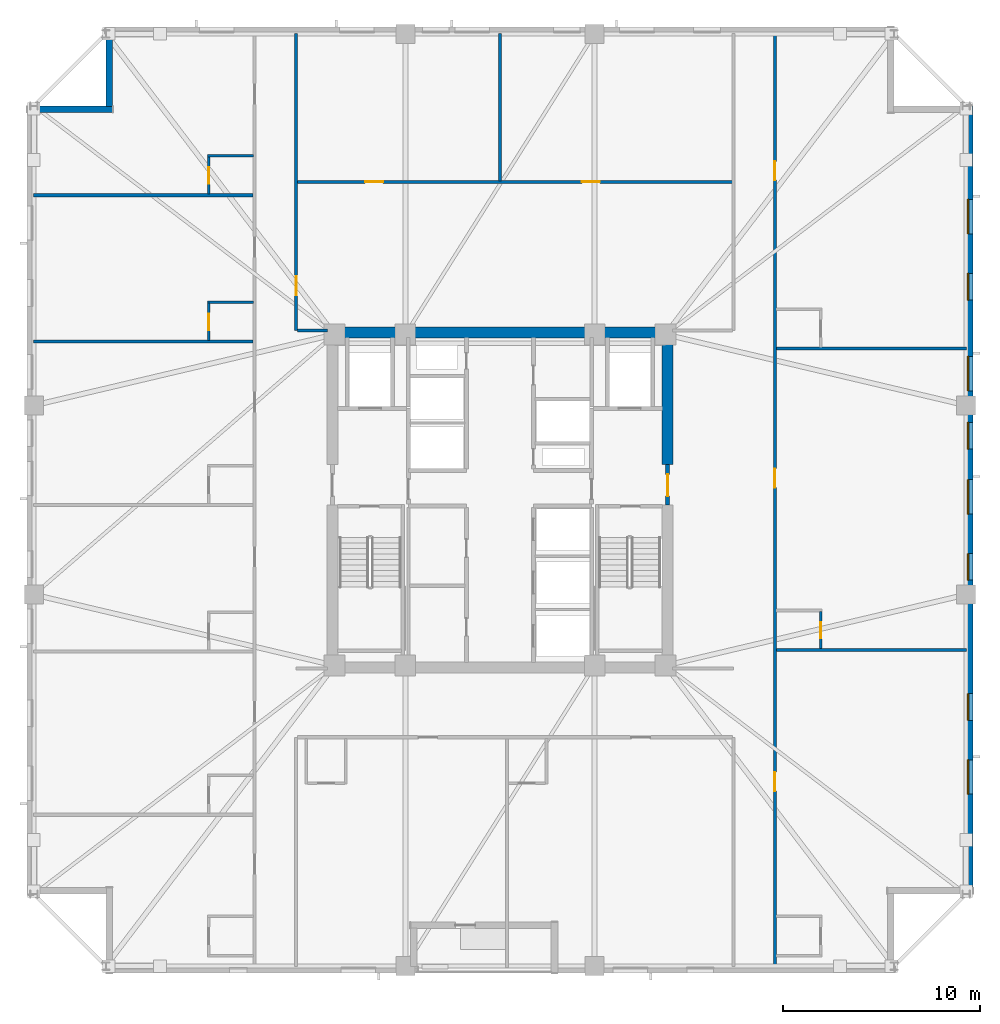
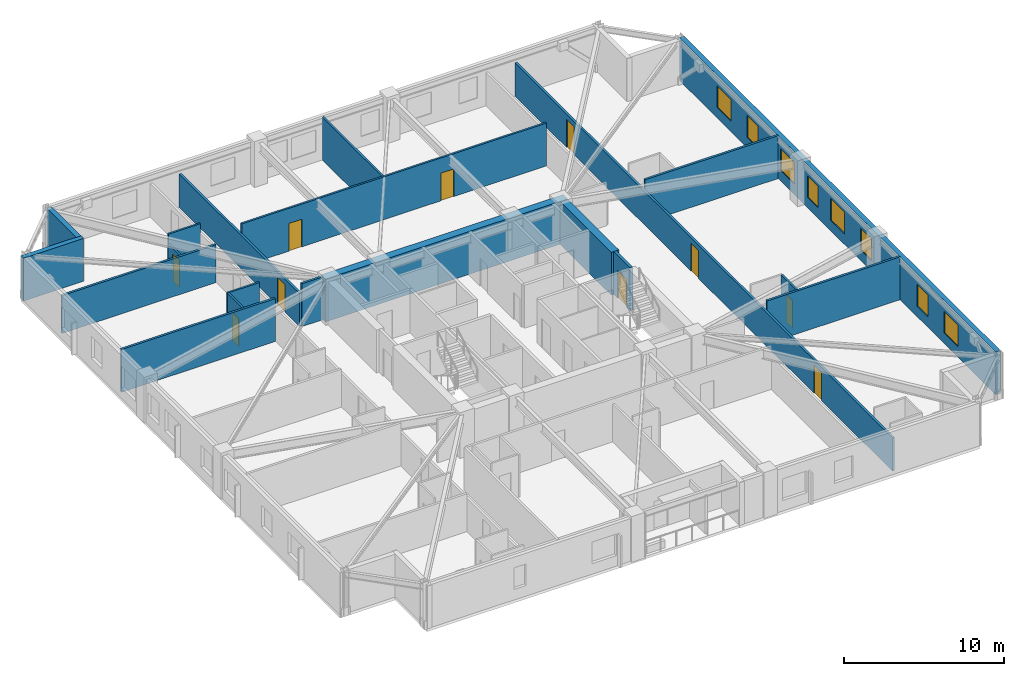
# One storey, part 5 of 11: 20 walls, 10 doors, 8 windows, 18 openings.
"""IFC4 building model written with IfcOpenShell, lengths in metres."""

import ifcopenshell
import ifcopenshell.guid

model = None  # the IFC model being written
_history = None  # IfcOwnerHistory: only IFC2X3 demands one
_inside = {}  # id of a spatial element -> (the spatial element, [elements in it])
_under = {}  # id of a project, library or spatial element -> (it, [spatial elements below it])
_declared = {}  # id of a project -> (the project, [libraries it declares])
_typed = {}  # id of a type object -> (the type object, [elements of that type])
_made_of = {}  # id of a material, layer set ... -> (it, [elements and type objects made of it])


def new_model(schema):
    """Start an empty IFC model of exactly this schema.

    Asked for "IFC4X3", IfcOpenShell would pick the latest addendum, in which some entities
    have other attributes; the version numbers below select the first issue.
    IFC2X3 requires an IfcOwnerHistory on every rooted entity: one is made here for all.
    """
    global model, _history
    if schema == "IFC4X3":
        model = ifcopenshell.file(schema_version=(4, 3, 0, 0))
    else:
        model = ifcopenshell.file(schema=schema)
    _inside.clear()
    _under.clear()
    _declared.clear()
    _typed.clear()
    _made_of.clear()
    _history = None
    if model.schema == "IFC2X3":
        org = make("IfcOrganization", Name="unknown")
        user = make(
            "IfcPersonAndOrganization",
            ThePerson=make("IfcPerson", FamilyName="unknown"),
            TheOrganization=org,
        )
        app = make(
            "IfcApplication",
            ApplicationDeveloper=org,
            Version="unknown",
            ApplicationFullName="unknown",
            ApplicationIdentifier="unknown",
        )
        _history = make(
            "IfcOwnerHistory",
            OwningUser=user,
            OwningApplication=app,
            ChangeAction="ADDED",
            CreationDate=0,
        )
    return model


def make(cls, **values):
    """One entity of the class cls with the attributes given. An attribute that is None is left unset."""
    return model.create_entity(
        cls, **{name: value for name, value in values.items() if value is not None}
    )


def rooted(cls, **values):
    """An entity with a GlobalId (a new one), such as an element, a storey or a relation."""
    return make(cls, GlobalId=ifcopenshell.guid.new(), OwnerHistory=_history, **values)


def si_unit(unit_type, name, prefix=None):
    """IfcSIUnit, for example si_unit("LENGTHUNIT", "METRE", prefix="MILLI")."""
    return make("IfcSIUnit", UnitType=unit_type, Prefix=prefix, Name=name)


def assignment(units):
    """IfcUnitAssignment: the units of a project."""
    return None if units is None else make("IfcUnitAssignment", Units=units)


def point(xyz):
    """IfcCartesianPoint."""
    return None if xyz is None else make("IfcCartesianPoint", Coordinates=xyz)


def direction(xyz):
    """IfcDirection."""
    return None if xyz is None else make("IfcDirection", DirectionRatios=xyz)


def frame(location, z_axis=None, x_axis=None):
    """IfcAxis2Placement3D, a coordinate frame: its origin and axes. An axis left out is left unset."""
    return make(
        "IfcAxis2Placement3D",
        Location=point(location),
        Axis=direction(z_axis),
        RefDirection=direction(x_axis),
    )


def frame_2d(location, x_axis=None):
    """IfcAxis2Placement2D, a coordinate frame in the plane: its origin and x axis."""
    return make(
        "IfcAxis2Placement2D", Location=point(location), RefDirection=direction(x_axis)
    )


def origin():
    """The frame at (0, 0, 0) with its axes left unset."""
    return frame((0.0, 0.0, 0.0))


def place(relative_to, where):
    """IfcLocalPlacement: puts the frame where relative to a parent placement (None: the world)."""
    return make(
        "IfcLocalPlacement", PlacementRelTo=relative_to, RelativePlacement=where
    )


def context(
    kind, dimensions, precision=None, world=None, true_north=None, identifier=None
):
    """IfcGeometricRepresentationContext, for example the 3D "Model" context."""
    return make(
        "IfcGeometricRepresentationContext",
        ContextIdentifier=identifier,
        ContextType=kind,
        CoordinateSpaceDimension=dimensions,
        Precision=precision,
        WorldCoordinateSystem=world,
        TrueNorth=true_north,
    )


def subcontext(parent, identifier, kind, view, scale=None):
    """IfcGeometricRepresentationSubContext, for example "Body" below "Model"."""
    return make(
        "IfcGeometricRepresentationSubContext",
        ContextIdentifier=identifier,
        ContextType=kind,
        ParentContext=parent,
        TargetScale=scale,
        TargetView=view,
    )


def project(units=None, contexts=None):
    """IfcProject with its units and contexts."""
    return rooted(
        "IfcProject",
        Name="project",
        RepresentationContexts=contexts,
        UnitsInContext=assignment(units),
    )


def spatial(cls, under=None, at=None, **own):
    """A site, building, storey or space (cls), placed at a placement, below another one or the project."""
    s = rooted(cls, ObjectPlacement=at, **own)
    if under is not None:
        _under.setdefault(under.id(), (under, []))[1].append(s)
    return s


def profile(cls, at=None, kind="AREA", **sizes):
    """A parametric profile (cls). Its sizes go by their IFC names, for example OverallWidth=200.0."""
    return make(cls, ProfileType=kind, Position=at, **sizes)


def rectangle(**sizes):
    """IfcRectangleProfileDef."""
    return profile("IfcRectangleProfileDef", **sizes)


def extrude(swept, where, along, depth):
    """IfcExtrudedAreaSolid: the profile swept, set in the frame where, extruded along a direction by depth."""
    return make(
        "IfcExtrudedAreaSolid",
        SweptArea=swept,
        Position=where,
        ExtrudedDirection=direction(along),
        Depth=depth,
    )


def shape(context_of_items, identifier, shape_type, items):
    """IfcShapeRepresentation: the items that make up one representation, for example the "Body"."""
    return make(
        "IfcShapeRepresentation",
        ContextOfItems=context_of_items,
        RepresentationIdentifier=identifier,
        RepresentationType=shape_type,
        Items=items,
    )


def material(Name=None, Category=None):
    """IfcMaterial."""
    return make("IfcMaterial", Name=Name, Category=Category)


def layer(
    of_material, thickness, ventilated=None, Name=None, Category=None, Priority=None
):
    """IfcMaterialLayer: one layer of a wall or slab, of a material (None: an air gap)."""
    return make(
        "IfcMaterialLayer",
        Material=of_material,
        LayerThickness=thickness,
        IsVentilated=ventilated,
        Name=Name,
        Category=Category,
        Priority=Priority,
    )


def layer_set(layers, Name=None):
    """IfcMaterialLayerSet."""
    return make("IfcMaterialLayerSet", MaterialLayers=layers, LayerSetName=Name)


def made_of(thing, what):
    """Note that an element or type object is made of a material, layer set ...; save() writes the relation."""
    if what is not None:
        _made_of.setdefault(what.id(), (what, []))[1].append(thing)
    return thing


def type_object(cls, material=None, **own):
    """A type object (cls), such as IfcWallType, which elements share."""
    return made_of(rooted(cls, **own), material)


def element(
    cls,
    number,
    at=None,
    inside=None,
    cuts=None,
    type_object=None,
    material=None,
    context=None,
    identifier="Body",
    shape_type=None,
    held_by="IfcProductDefinitionShape",
    body=None,
    shapes=None,
    **own,
):
    """One element of the class cls, such as IfcWall. Its Tag is "e" and its number.

    at: its placement. inside: the storey or other place that contains it. cuts: it is an
    opening in that element (IfcRelVoidsElement). A single representation is given by context,
    identifier, shape_type and body (its items); several are given by shapes. held_by: the class
    of the entity that holds the representations. save() writes the other relations.
    """
    e = rooted(cls, Tag="e%d" % number, ObjectPlacement=at, **own)
    if body is not None:
        shapes = [shape(context, identifier, shape_type, body)]
    if shapes is not None:
        e.Representation = make(held_by, Representations=shapes)
    if inside is not None:
        _inside.setdefault(inside.id(), (inside, []))[1].append(e)
    if cuts is not None:
        rooted(
            "IfcRelVoidsElement", RelatingBuildingElement=cuts, RelatedOpeningElement=e
        )
    if type_object is not None:
        _typed.setdefault(type_object.id(), (type_object, []))[1].append(e)
    return made_of(e, material)


def fill(opening, filler):
    """IfcRelFillsElement: the door or window that sits in an opening."""
    return rooted(
        "IfcRelFillsElement",
        RelatingOpeningElement=opening,
        RelatedBuildingElement=filler,
    )


def aggregate(whole, parts):
    """IfcRelAggregates: a whole, such as a stair, and the parts it consists of."""
    return rooted("IfcRelAggregates", RelatingObject=whole, RelatedObjects=parts)


def save(model, path):
    """Write the relations noted so far, then the file.

    IfcRelAggregates (storeys below a building ...), IfcRelContainedInSpatialStructure (elements
    in a storey), IfcRelDefinesByType, IfcRelAssociatesMaterial and IfcRelDeclares: one each for
    every whole, place, type object, material and project.
    """
    for whole, parts in _under.values():
        aggregate(whole, parts)
    for where, things in _inside.values():
        rooted(
            "IfcRelContainedInSpatialStructure",
            RelatedElements=things,
            RelatingStructure=where,
        )
    for kind, things in _typed.values():
        rooted("IfcRelDefinesByType", RelatedObjects=things, RelatingType=kind)
    for what, things in _made_of.values():
        rooted("IfcRelAssociatesMaterial", RelatedObjects=things, RelatingMaterial=what)
    for by, libraries in _declared.values():
        rooted("IfcRelDeclares", RelatingContext=by, RelatedDefinitions=libraries)
    model.write(path)


model = new_model("IFC4")

# Units and contexts
model_context = context("Model", 3, precision=1e-05, world=origin(), true_north=direction((0.0, 1.0)))
body_context = subcontext(model_context, "Body", "Model", "MODEL_VIEW")
ifc_project = project(units=[si_unit("LENGTHUNIT", "METRE"), si_unit("AREAUNIT", "SQUARE_METRE"), si_unit("VOLUMEUNIT", "CUBIC_METRE"), si_unit("PLANEANGLEUNIT", "RADIAN"), si_unit("MASSUNIT", "GRAM", prefix="KILO")], contexts=[model_context])

# Site, building, storey
site_placement = place(None, origin())
site = spatial("IfcSite", under=ifc_project, at=site_placement, CompositionType="ELEMENT")
building_placement = place(site_placement, origin())
building = spatial("IfcBuilding", under=site, at=building_placement, Name="Cairnveth Concourse Tower", CompositionType="ELEMENT")
storey_placement = place(building_placement, frame((0.0, 0.0, 151.5)))
storey = spatial("IfcBuildingStorey", under=building, at=storey_placement, Name="L41", CompositionType="ELEMENT", Elevation=151.5)

# Wall, opening, door
ifc_material_1 = material(Name="Gypsum Plasterboard Partition", Category="gypsum")
ifc_layer_1 = layer(ifc_material_1, 0.159912109375)
ifc_layer_set_1 = layer_set([ifc_layer_1], Name="Gypsum Plasterboard Partition")
wall_type_1 = type_object("IfcWallType", Name="ACOUSTIC PARTY WALL 180", PredefinedType="PARTITIONING", material=ifc_layer_set_1)
wall_1_placement = place(storey_placement, frame((41.64990234375, 47.60009765625, 0.0), z_axis=(0.0, 0.0, 1.0), x_axis=(0.0, 1.0, 0.0)))
wall_1 = element("IfcWall", 1, at=wall_1_placement, inside=storey, type_object=wall_type_1, Name="Interior Wall IW-L41-038", PredefinedType="PARTITIONING", context=body_context, shape_type="SweptSolid", body=[
    extrude(rectangle(XDim=15.074951171875, YDim=0.159912109375, at=frame_2d((7.53759765625, 0.0))), origin(), (0.0, 0.0, 1.0), 2.554931640625),
])
opening_1_placement = place(wall_1_placement, frame((1.800048828125, 0.0, 0.0)))
opening_1 = element("IfcOpeningElement", 2, at=opening_1_placement, cuts=wall_1, Name="Opening ID11", PredefinedType="OPENING", context=body_context, shape_type="SweptSolid", body=[
    extrude(rectangle(XDim=0.9599609375, YDim=2.1201171875, at=frame_2d((0.47998046875, 1.06005859375))), frame((0.0, 0.08984375, 0.0), z_axis=(0.0, -1.0, 0.0), x_axis=(1.0, 0.0, 0.0)), (0.0, 0.0, 1.0), 0.179931640625),
])
ifc_material_2 = material(Name="Solid Core Hardwood Timber Leaf", Category="wood")
door_type_1 = type_object("IfcDoorType", Name="INTERIOR SINGLE DOOR 960X2150", OperationType="NOTDEFINED", PredefinedType="DOOR", material=ifc_material_2)
door_1_placement = place(opening_1_placement, origin())
door_1 = element("IfcDoor", 3, at=door_1_placement, inside=storey, type_object=door_type_1, Name="Interior Door DR-L41-015", OperationType="SINGLE_SWING_LEFT", OverallHeight=2.1201171875, OverallWidth=0.9599609375, PredefinedType="DOOR", context=body_context, shape_type="SweptSolid", body=[
    extrude(rectangle(XDim=0.9599609375, YDim=2.1201171875, at=frame_2d((0.47998046875, 1.06005859375))), frame((0.0, 0.02490234375, 0.0), z_axis=(0.0, -1.0, 0.0), x_axis=(1.0, 0.0, 0.0)), (0.0, 0.0, 1.0), 0.050048828125),
])
fill(opening_1, door_1)

# Wall
wall_2_placement = place(storey_placement, frame((41.715087890625, 47.60009765625, 0.0), z_axis=(0.0, 0.0, 1.0), x_axis=(1.0, 0.0, 0.0)))
element("IfcWall", 4, at=wall_2_placement, inside=storey, type_object=wall_type_1, Name="Interior Wall IW-L41-040", PredefinedType="PARTITIONING", context=body_context, shape_type="SweptSolid", body=[
    extrude(rectangle(XDim=1.52001953125, YDim=0.159912109375, at=frame_2d((0.760009765625, 0.0))), origin(), (0.0, 0.0, 1.0), 3.280029296875),
])

# Wall, openings, doors
wall_3_placement = place(storey_placement, frame((65.949951171875, 15.324951171875, 0.0), z_axis=(0.0, 0.0, 1.0), x_axis=(0.0, 1.0, 0.0)))
wall_3 = element("IfcWall", 5, at=wall_3_placement, inside=storey, type_object=wall_type_1, Name="Interior Wall IW-L41-041", PredefinedType="PARTITIONING", context=body_context, shape_type="SweptSolid", body=[
    extrude(rectangle(XDim=47.35009765625, YDim=0.159912109375, at=frame_2d((23.675048828125, 0.0))), origin(), (0.0, 0.0, 1.0), 2.554931640625),
])
opening_2_placement = place(wall_3_placement, frame((8.901611328125, 0.0, 0.0)))
opening_2 = element("IfcOpeningElement", 6, at=opening_2_placement, cuts=wall_3, Name="Opening ID09", PredefinedType="OPENING", context=body_context, shape_type="SweptSolid", body=[
    extrude(rectangle(XDim=0.9599609375, YDim=2.14990234375, at=frame_2d((0.47998046875, 1.074951171875))), frame((0.0, 0.08984375, 0.0), z_axis=(0.0, -1.0, 0.0), x_axis=(1.0, 0.0, 0.0)), (0.0, 0.0, 1.0), 0.179931640625),
])
opening_3_placement = place(wall_3_placement, frame((24.30908203125, 0.0, 0.0)))
opening_3 = element("IfcOpeningElement", 7, at=opening_3_placement, cuts=wall_3, Name="Opening ID09", PredefinedType="OPENING", context=body_context, shape_type="SweptSolid", body=[
    extrude(rectangle(XDim=0.9599609375, YDim=2.14990234375, at=frame_2d((0.47998046875, 1.074951171875))), frame((0.0, 0.08984375, 0.0), z_axis=(0.0, -1.0, 0.0), x_axis=(1.0, 0.0, 0.0)), (0.0, 0.0, 1.0), 0.179931640625),
])
opening_4_placement = place(wall_3_placement, frame((39.90234375, 0.0, 0.0)))
opening_4 = element("IfcOpeningElement", 8, at=opening_4_placement, cuts=wall_3, Name="Opening ID09", PredefinedType="OPENING", context=body_context, shape_type="SweptSolid", body=[
    extrude(rectangle(XDim=0.9599609375, YDim=2.14990234375, at=frame_2d((0.47998046875, 1.074951171875))), frame((0.0, 0.08984375, 0.0), z_axis=(0.0, -1.0, 0.0), x_axis=(1.0, 0.0, 0.0)), (0.0, 0.0, 1.0), 0.179931640625),
])
door_type_2 = type_object("IfcDoorType", Name="HOTEL ENTRANCE DOOR 960X2150", OperationType="NOTDEFINED", PredefinedType="DOOR", material=ifc_material_2)
door_2_placement = place(opening_2_placement, origin())
door_2 = element("IfcDoor", 9, at=door_2_placement, inside=storey, type_object=door_type_2, Name="Hotel Room Door L41-E1", OperationType="SINGLE_SWING_LEFT", OverallHeight=2.14990234375, OverallWidth=0.9599609375, PredefinedType="DOOR", context=body_context, shape_type="SweptSolid", body=[
    extrude(rectangle(XDim=0.9599609375, YDim=2.14990234375, at=frame_2d((0.47998046875, 1.074951171875))), frame((0.0, 0.02490234375, 0.0), z_axis=(0.0, -1.0, 0.0), x_axis=(1.0, 0.0, 0.0)), (0.0, 0.0, 1.0), 0.050048828125),
])
fill(opening_2, door_2)
door_3_placement = place(opening_3_placement, origin())
door_3 = element("IfcDoor", 10, at=door_3_placement, inside=storey, type_object=door_type_2, Name="Hotel Room Door L41-E2", OperationType="SINGLE_SWING_LEFT", OverallHeight=2.14990234375, OverallWidth=0.9599609375, PredefinedType="DOOR", context=body_context, shape_type="SweptSolid", body=[
    extrude(rectangle(XDim=0.9599609375, YDim=2.14990234375, at=frame_2d((0.47998046875, 1.074951171875))), frame((0.0, 0.02490234375, 0.0), z_axis=(0.0, -1.0, 0.0), x_axis=(1.0, 0.0, 0.0)), (0.0, 0.0, 1.0), 0.050048828125),
])
fill(opening_3, door_3)
door_4_placement = place(opening_4_placement, origin())
door_4 = element("IfcDoor", 11, at=door_4_placement, inside=storey, type_object=door_type_2, Name="Hotel Room Door L41-E3", OperationType="SINGLE_SWING_LEFT", OverallHeight=2.14990234375, OverallWidth=0.9599609375, PredefinedType="DOOR", context=body_context, shape_type="SweptSolid", body=[
    extrude(rectangle(XDim=0.9599609375, YDim=2.14990234375, at=frame_2d((0.47998046875, 1.074951171875))), frame((0.0, 0.02490234375, 0.0), z_axis=(0.0, -1.0, 0.0), x_axis=(1.0, 0.0, 0.0)), (0.0, 0.0, 1.0), 0.050048828125),
])
fill(opening_4, door_4)

# Walls
wall_4_placement = place(storey_placement, frame((28.324951171875, 47.035400390625, 0.0), z_axis=(0.0, 0.0, 1.0), x_axis=(1.0, 0.0, 0.0)))
element("IfcWall", 12, at=wall_4_placement, inside=storey, type_object=wall_type_1, Name="Interior Wall IW-L41-067", PredefinedType="PARTITIONING", context=body_context, shape_type="SweptSolid", body=[
    extrude(rectangle(XDim=11.14501953125, YDim=0.159912109375, at=frame_2d((5.572509765625, 0.0))), origin(), (0.0, 0.0, 1.0), 3.280029296875),
])
wall_5_placement = place(storey_placement, frame((28.324951171875, 54.466552734375, 0.0), z_axis=(0.0, 0.0, 1.0), x_axis=(1.0, 0.0, 0.0)))
element("IfcWall", 13, at=wall_5_placement, inside=storey, type_object=wall_type_1, Name="Interior Wall IW-L41-070", PredefinedType="PARTITIONING", context=body_context, shape_type="SweptSolid", body=[
    extrude(rectangle(XDim=11.14501953125, YDim=0.159912109375, at=frame_2d((5.572509765625, 0.0))), origin(), (0.0, 0.0, 1.0), 2.89599609375),
])
for number, where, z_axis, x_axis, name in (
    (14, (66.030029296875, 31.3935546875, 0.0), (0.0, 0.0, 1.0), (1.0, 0.0, 0.0), "Interior Wall IW-L41-076"),
    (15, (66.030029296875, 46.6845703125, 0.0), (0.0, 0.0, 1.0), (1.0, 0.0, 0.0), "Interior Wall IW-L41-079"),
):
    element("IfcWall", number, at=place(storey_placement, frame(where, z_axis=z_axis, x_axis=x_axis)), inside=storey, type_object=wall_type_1, Name=name, PredefinedType="PARTITIONING", context=body_context, shape_type="SweptSolid", body=[
        extrude(rectangle(XDim=9.64501953125, YDim=0.159912109375, at=frame_2d((4.822509765625, 0.0))), origin(), (0.0, 0.0, 1.0), 3.280029296875),
    ])
ifc_material_3 = material(Name="Concrete N80 (80 MPa)", Category="concrete")
ifc_layer_2 = layer(ifc_material_3, 0.550048828125)
ifc_layer_set_2 = layer_set([ifc_layer_2], Name="Concrete N80 (80 MPa)")
wall_type_2 = type_object("IfcWallType", Name="CORE SHEAR WALL 550", PredefinedType="SHEAR", material=ifc_layer_set_2)
wall_6_placement = place(storey_placement, frame((43.22509765625, 47.5, 0.0), z_axis=(0.0, 0.0, 1.0), x_axis=(1.0, 0.0, 0.0)))
element("IfcWall", 16, at=wall_6_placement, inside=storey, type_object=wall_type_2, Name="Core North Shear Wall L41", PredefinedType="SHEAR", context=body_context, shape_type="SweptSolid", body=[
    extrude(rectangle(XDim=17.5498046875, YDim=0.550048828125, at=frame_2d((8.77490234375, 0.0))), origin(), (0.0, 0.0, 1.0), 3.280029296875),
])
wall_7_placement = place(storey_placement, frame((60.5, 40.800048828125, 0.0), z_axis=(0.0, 0.0, 1.0), x_axis=(0.0, 1.0, 0.0)))
element("IfcWall", 17, at=wall_7_placement, inside=storey, type_object=wall_type_2, Name="Core East Shear Wall N L41", PredefinedType="SHEAR", context=body_context, shape_type="SweptSolid", body=[
    extrude(rectangle(XDim=6.43505859375, YDim=0.550048828125, at=frame_2d((3.217529296875, 0.0))), origin(), (0.0, 0.0, 1.0), 3.280029296875),
])

# Wall, opening, door
ifc_material_4 = material(Name="Concrete N50 (50 MPa)", Category="concrete")
ifc_layer_3 = layer(ifc_material_4, 0.199951171875)
ifc_layer_set_3 = layer_set([ifc_layer_3], Name="Concrete N50 (50 MPa)")
wall_type_3 = type_object("IfcWallType", Name="FIRE SHAFT WALL 200", PredefinedType="SOLIDWALL", material=ifc_layer_set_3)
wall_8_placement = place(storey_placement, frame((60.5, 38.75, 0.0), z_axis=(0.0, 0.0, 1.0), x_axis=(0.0, 1.0, 0.0)))
wall_8 = element("IfcWall", 18, at=wall_8_placement, inside=storey, type_object=wall_type_3, Name="Interior Wall IW-L41-020", PredefinedType="SOLIDWALL", context=body_context, shape_type="SweptSolid", body=[
    extrude(rectangle(XDim=2.050048828125, YDim=0.199951171875, at=frame_2d((1.02490234375, 0.0))), origin(), (0.0, 0.0, 1.0), 3.280029296875),
])
opening_5_placement = place(wall_8_placement, frame((0.449951171875, 0.0, 0.0)))
opening_5 = element("IfcOpeningElement", 19, at=opening_5_placement, cuts=wall_8, Name="Opening ID06", PredefinedType="OPENING", context=body_context, shape_type="SweptSolid", body=[
    extrude(rectangle(XDim=1.10009765625, YDim=2.14990234375, at=frame_2d((0.550048828125, 1.074951171875))), frame((0.0, 0.10986328125, 0.0), z_axis=(0.0, -1.0, 0.0), x_axis=(1.0, 0.0, 0.0)), (0.0, 0.0, 1.0), 0.219970703125),
])
ifc_material_5 = material(Name="Steel Grade 350", Category="steel")
door_type_3 = type_object("IfcDoorType", Name="FIRE CORRIDOR DOOR 1100X2150", OperationType="NOTDEFINED", PredefinedType="DOOR", material=ifc_material_5)
door_5_placement = place(opening_5_placement, origin())
door_5 = element("IfcDoor", 20, at=door_5_placement, inside=storey, type_object=door_type_3, Name="East Wing to FF Lobby Door L41", OperationType="SINGLE_SWING_RIGHT", OverallHeight=2.14990234375, OverallWidth=1.10009765625, PredefinedType="DOOR", context=body_context, shape_type="SweptSolid", body=[
    extrude(rectangle(XDim=1.10009765625, YDim=2.14990234375, at=frame_2d((0.550048828125, 1.074951171875))), frame((0.0, 0.02490234375, 0.0), z_axis=(0.0, -1.0, 0.0), x_axis=(1.0, 0.0, 0.0)), (0.0, 0.0, 1.0), 0.050048828125),
])
fill(opening_5, door_5)

# Wall, openings, doors
ifc_layer_4 = layer(ifc_material_1, 0.139892578125)
ifc_layer_set_4 = layer_set([ifc_layer_4], Name="Gypsum Plasterboard Partition")
wall_type_4 = type_object("IfcWallType", Name="GYPSUM STUD PARTITION 140", PredefinedType="PARTITIONING", material=ifc_layer_set_4)
wall_9_placement = place(storey_placement, frame((41.715087890625, 55.139892578125, 0.0), z_axis=(0.0, 0.0, 1.0), x_axis=(1.0, 0.0, 0.0)))
wall_9 = element("IfcWall", 21, at=wall_9_placement, inside=storey, type_object=wall_type_4, Name="Interior Wall IW-L41-047", PredefinedType="PARTITIONING", context=body_context, shape_type="SweptSolid", body=[
    extrude(rectangle(XDim=22.06982421875, YDim=0.139892578125, at=frame_2d((11.034912109375, 0.0))), origin(), (0.0, 0.0, 1.0), 3.280029296875),
])
opening_6_placement = place(wall_9_placement, frame((3.43505859375, 0.0, 0.0)))
opening_6 = element("IfcOpeningElement", 22, at=opening_6_placement, cuts=wall_9, Name="Opening ID15", PredefinedType="OPENING", context=body_context, shape_type="SweptSolid", body=[
    extrude(rectangle(XDim=0.919921875, YDim=2.1201171875, at=frame_2d((0.4599609375, 1.06005859375))), frame((0.0, 0.079833984375, 0.0), z_axis=(0.0, -1.0, 0.0), x_axis=(1.0, 0.0, 0.0)), (0.0, 0.0, 1.0), 0.159912109375),
])
opening_7_placement = place(wall_9_placement, frame((14.43505859375, 0.0, 0.0)))
opening_7 = element("IfcOpeningElement", 23, at=opening_7_placement, cuts=wall_9, Name="Opening ID15", PredefinedType="OPENING", context=body_context, shape_type="SweptSolid", body=[
    extrude(rectangle(XDim=0.919921875, YDim=2.1201171875, at=frame_2d((0.4599609375, 1.06005859375))), frame((0.0, 0.079833984375, 0.0), z_axis=(0.0, -1.0, 0.0), x_axis=(1.0, 0.0, 0.0)), (0.0, 0.0, 1.0), 0.159912109375),
])
door_type_4 = type_object("IfcDoorType", Name="INTERIOR SINGLE DOOR 920X2100", OperationType="NOTDEFINED", PredefinedType="DOOR", material=ifc_material_2)
door_6_placement = place(opening_6_placement, origin())
door_6 = element("IfcDoor", 24, at=door_6_placement, inside=storey, type_object=door_type_4, Name="Interior Door DR-L41-016", OperationType="SINGLE_SWING_RIGHT", OverallHeight=2.1201171875, OverallWidth=0.919921875, PredefinedType="DOOR", context=body_context, shape_type="SweptSolid", body=[
    extrude(rectangle(XDim=0.919921875, YDim=2.1201171875, at=frame_2d((0.4599609375, 1.06005859375))), frame((0.0, 0.02490234375, 0.0), z_axis=(0.0, -1.0, 0.0), x_axis=(1.0, 0.0, 0.0)), (0.0, 0.0, 1.0), 0.050048828125),
])
fill(opening_6, door_6)
door_7_placement = place(opening_7_placement, origin())
door_7 = element("IfcDoor", 25, at=door_7_placement, inside=storey, type_object=door_type_4, Name="Interior Door DR-L41-017", OperationType="SINGLE_SWING_LEFT", OverallHeight=2.1201171875, OverallWidth=0.919921875, PredefinedType="DOOR", context=body_context, shape_type="SweptSolid", body=[
    extrude(rectangle(XDim=0.919921875, YDim=2.1201171875, at=frame_2d((0.4599609375, 1.06005859375))), frame((0.0, 0.02490234375, 0.0), z_axis=(0.0, -1.0, 0.0), x_axis=(1.0, 0.0, 0.0)), (0.0, 0.0, 1.0), 0.050048828125),
])
fill(opening_7, door_7)

# Walls
wall_10_placement = place(storey_placement, frame((52.0, 55.195068359375, 0.0), z_axis=(0.0, 0.0, 1.0), x_axis=(0.0, 1.0, 0.0)))
element("IfcWall", 26, at=wall_10_placement, inside=storey, type_object=wall_type_4, Name="Interior Wall IW-L41-048", PredefinedType="PARTITIONING", context=body_context, shape_type="SweptSolid", body=[
    extrude(rectangle(XDim=7.47998046875, YDim=0.139892578125, at=frame_2d((3.739990234375, 0.0))), origin(), (0.0, 0.0, 1.0), 3.280029296875),
])
ifc_layer_5 = layer(ifc_material_1, 0.1298828125)
ifc_layer_set_5 = layer_set([ifc_layer_5], Name="Gypsum Plasterboard Partition")
wall_type_5 = type_object("IfcWallType", Name="WET AREA PARTITION 140", PredefinedType="PLUMBINGWALL", material=ifc_layer_set_5)
wall_11_placement = place(storey_placement, frame((37.169921875, 49.035400390625, 0.0), z_axis=(0.0, 0.0, 1.0), x_axis=(1.0, 0.0, 0.0)))
element("IfcWall", 27, at=wall_11_placement, inside=storey, type_object=wall_type_5, Name="Interior Wall IW-L41-068", PredefinedType="PLUMBINGWALL", context=body_context, shape_type="SweptSolid", body=[
    extrude(rectangle(XDim=2.315185546875, YDim=0.1298828125, at=frame_2d((1.15771484375, 0.0))), origin(), (0.0, 0.0, 1.0), 3.280029296875),
])

# Wall, opening, door
wall_12_placement = place(storey_placement, frame((37.219970703125, 47.1005859375, 0.0), z_axis=(0.0, 0.0, 1.0), x_axis=(0.0, 1.0, 0.0)))
wall_12 = element("IfcWall", 28, at=wall_12_placement, inside=storey, type_object=wall_type_5, Name="Interior Wall IW-L41-069", PredefinedType="PLUMBINGWALL", context=body_context, shape_type="SweptSolid", body=[
    extrude(rectangle(XDim=1.885009765625, YDim=0.1298828125, at=frame_2d((0.9423828125, 0.0))), origin(), (0.0, 0.0, 1.0), 3.280029296875),
])
opening_8_placement = place(wall_12_placement, frame((0.52490234375, 0.0, 0.0)))
opening_8 = element("IfcOpeningElement", 29, at=opening_8_placement, cuts=wall_12, Name="Opening ID22", PredefinedType="OPENING", context=body_context, shape_type="SweptSolid", body=[
    extrude(rectangle(XDim=0.820068359375, YDim=2.10009765625, at=frame_2d((0.41015625, 1.050048828125))), frame((0.0, 0.074951171875, 0.0), z_axis=(0.0, -1.0, 0.0), x_axis=(1.0, 0.0, 0.0)), (0.0, 0.0, 1.0), 0.14990234375),
])
door_type_5 = type_object("IfcDoorType", Name="INTERIOR WC DOOR 820X2100", OperationType="NOTDEFINED", PredefinedType="DOOR", material=ifc_material_2)
door_8_placement = place(opening_8_placement, origin())
door_8 = element("IfcDoor", 30, at=door_8_placement, inside=storey, type_object=door_type_5, Name="En-Suite Door L41-W5", OperationType="SINGLE_SWING_RIGHT", OverallHeight=2.10009765625, OverallWidth=0.820068359375, PredefinedType="DOOR", context=body_context, shape_type="SweptSolid", body=[
    extrude(rectangle(XDim=0.820068359375, YDim=2.10009765625, at=frame_2d((0.41015625, 1.050048828125))), frame((0.0, 0.02490234375, 0.0), z_axis=(0.0, -1.0, 0.0), x_axis=(1.0, 0.0, 0.0)), (0.0, 0.0, 1.0), 0.050048828125),
])
fill(opening_8, door_8)

# Wall
wall_13_placement = place(storey_placement, frame((37.169921875, 56.466552734375, 0.0), z_axis=(0.0, 0.0, 1.0), x_axis=(1.0, 0.0, 0.0)))
element("IfcWall", 31, at=wall_13_placement, inside=storey, type_object=wall_type_5, Name="Interior Wall IW-L41-071", PredefinedType="PLUMBINGWALL", context=body_context, shape_type="SweptSolid", body=[
    extrude(rectangle(XDim=2.315185546875, YDim=0.1298828125, at=frame_2d((1.15771484375, 0.0))), origin(), (0.0, 0.0, 1.0), 3.280029296875),
])

# Wall, opening, door
wall_14_placement = place(storey_placement, frame((37.219970703125, 54.531494140625, 0.0), z_axis=(0.0, 0.0, 1.0), x_axis=(0.0, 1.0, 0.0)))
wall_14 = element("IfcWall", 32, at=wall_14_placement, inside=storey, type_object=wall_type_5, Name="Interior Wall IW-L41-072", PredefinedType="PLUMBINGWALL", context=body_context, shape_type="SweptSolid", body=[
    extrude(rectangle(XDim=1.885009765625, YDim=0.1298828125, at=frame_2d((0.9423828125, 0.0))), origin(), (0.0, 0.0, 1.0), 2.554931640625),
])
opening_9_placement = place(wall_14_placement, frame((0.52490234375, 0.0, 0.0)))
opening_9 = element("IfcOpeningElement", 33, at=opening_9_placement, cuts=wall_14, Name="Opening ID22", PredefinedType="OPENING", context=body_context, shape_type="SweptSolid", body=[
    extrude(rectangle(XDim=0.820068359375, YDim=2.10009765625, at=frame_2d((0.41015625, 1.050048828125))), frame((0.0, 0.074951171875, 0.0), z_axis=(0.0, -1.0, 0.0), x_axis=(1.0, 0.0, 0.0)), (0.0, 0.0, 1.0), 0.14990234375),
])
door_9_placement = place(opening_9_placement, origin())
door_9 = element("IfcDoor", 34, at=door_9_placement, inside=storey, type_object=door_type_5, Name="En-Suite Door L41-W6", OperationType="SINGLE_SWING_RIGHT", OverallHeight=2.10009765625, OverallWidth=0.820068359375, PredefinedType="DOOR", context=body_context, shape_type="SweptSolid", body=[
    extrude(rectangle(XDim=0.820068359375, YDim=2.10009765625, at=frame_2d((0.41015625, 1.050048828125))), frame((0.0, 0.02490234375, 0.0), z_axis=(0.0, -1.0, 0.0), x_axis=(1.0, 0.0, 0.0)), (0.0, 0.0, 1.0), 0.050048828125),
])
fill(opening_9, door_9)

wall_15_placement = place(storey_placement, frame((68.280029296875, 31.45849609375, 0.0), z_axis=(0.0, 0.0, 1.0), x_axis=(0.0, 1.0, 0.0)))
wall_15 = element("IfcWall", 35, at=wall_15_placement, inside=storey, type_object=wall_type_5, Name="Interior Wall IW-L41-078", PredefinedType="PLUMBINGWALL", context=body_context, shape_type="SweptSolid", body=[
    extrude(rectangle(XDim=1.885009765625, YDim=0.1298828125, at=frame_2d((0.9423828125, 0.0))), origin(), (0.0, 0.0, 1.0), 3.280029296875),
])
opening_10_placement = place(wall_15_placement, frame((0.52490234375, 0.0, 0.0)))
opening_10 = element("IfcOpeningElement", 36, at=opening_10_placement, cuts=wall_15, Name="Opening ID22", PredefinedType="OPENING", context=body_context, shape_type="SweptSolid", body=[
    extrude(rectangle(XDim=0.820068359375, YDim=2.10009765625, at=frame_2d((0.41015625, 1.050048828125))), frame((0.0, 0.074951171875, 0.0), z_axis=(0.0, -1.0, 0.0), x_axis=(1.0, 0.0, 0.0)), (0.0, 0.0, 1.0), 0.14990234375),
])
door_10_placement = place(opening_10_placement, origin())
door_10 = element("IfcDoor", 37, at=door_10_placement, inside=storey, type_object=door_type_5, Name="En-Suite Door L41-E2", OperationType="SINGLE_SWING_RIGHT", OverallHeight=2.10009765625, OverallWidth=0.820068359375, PredefinedType="DOOR", context=body_context, shape_type="SweptSolid", body=[
    extrude(rectangle(XDim=0.820068359375, YDim=2.10009765625, at=frame_2d((0.41015625, 1.050048828125))), frame((0.0, 0.02490234375, 0.0), z_axis=(0.0, -1.0, 0.0), x_axis=(1.0, 0.0, 0.0)), (0.0, 0.0, 1.0), 0.050048828125),
])
fill(opening_10, door_10)

# Walls
ifc_material_6 = material(Name="Hawthorn Red-Ochre Fired Clay Brick Masonry", Category="masonry")
ifc_layer_6 = layer(ifc_material_6, 0.340087890625)
ifc_layer_set_6 = layer_set([ifc_layer_6], Name="Hawthorn Red-Ochre Fired Clay Brick Masonry")
wall_type_6 = type_object("IfcWallType", Name="ZONE 2 BRICK PIER SPANDREL WALL 340", PredefinedType="SOLIDWALL", material=ifc_layer_set_6)
wall_16_placement = place(storey_placement, frame((28.0, 58.830078125, 0.0), z_axis=(0.0, 0.0, 1.0), x_axis=(1.0, 0.0, 0.0)))
element("IfcWall", 38, at=wall_16_placement, inside=storey, type_object=wall_type_6, Name="Exterior Wall EW-L41-S04", PredefinedType="SOLIDWALL", context=body_context, shape_type="SweptSolid", body=[
    extrude(rectangle(XDim=4.340087890625, YDim=0.340087890625, at=frame_2d((2.169921875, 0.0))), origin(), (0.0, 0.0, 1.0), 3.280029296875),
])
wall_17_placement = place(storey_placement, frame((32.169921875, 58.97802734375, 0.0), z_axis=(0.0, 0.0, 1.0), x_axis=(0.0, 1.0, 0.0)))
element("IfcWall", 39, at=wall_17_placement, inside=storey, type_object=wall_type_6, Name="Exterior Wall EW-L41-S05", PredefinedType="SOLIDWALL", context=body_context, shape_type="SweptSolid", body=[
    extrude(rectangle(XDim=3.703857421875, YDim=0.340087890625, at=frame_2d((1.85205078125, 0.0))), origin(), (0.0, 0.0, 1.0), 3.280029296875),
])

# Wall, openings, windows
wall_18_placement = place(storey_placement, frame((75.830078125, 59.0, 0.0), z_axis=(0.0, 0.0, 1.0), x_axis=(0.0, -1.0, 0.0)))
wall_18 = element("IfcWall", 40, at=wall_18_placement, inside=storey, type_object=wall_type_6, Name="Exterior Wall EW-L41-S09", PredefinedType="SOLIDWALL", context=body_context, shape_type="SweptSolid", body=[
    extrude(rectangle(XDim=39.681884765625, YDim=0.340087890625, at=frame_2d((19.8408203125, 0.0))), origin(), (0.0, 0.0, 1.0), 3.280029296875),
])
opening_11_placement = place(wall_18_placement, frame((4.751708984375, 0.0, 0.800048828125)))
opening_11 = element("IfcOpeningElement", 41, at=opening_11_placement, cuts=wall_18, Name="Opening W06", PredefinedType="OPENING", context=body_context, shape_type="SweptSolid", body=[
    extrude(rectangle(XDim=1.75, YDim=1.659912109375, at=frame_2d((0.875, 0.830078125))), frame((0.0, 0.179931640625, 0.0), z_axis=(0.0, -1.0, 0.0), x_axis=(1.0, 0.0, 0.0)), (0.0, 0.0, 1.0), 0.360107421875),
])
opening_12_placement = place(wall_18_placement, frame((8.50537109375, 0.0, 0.800048828125)))
opening_12 = element("IfcOpeningElement", 42, at=opening_12_placement, cuts=wall_18, Name="Opening W02", PredefinedType="OPENING", context=body_context, shape_type="SweptSolid", body=[
    extrude(rectangle(XDim=1.35009765625, YDim=1.659912109375, at=frame_2d((0.675048828125, 0.830078125))), frame((0.0, 0.179931640625, 0.0), z_axis=(0.0, -1.0, 0.0), x_axis=(1.0, 0.0, 0.0)), (0.0, 0.0, 1.0), 0.360107421875),
])
opening_13_placement = place(wall_18_placement, frame((12.708984375, 0.0, 0.800048828125)))
opening_13 = element("IfcOpeningElement", 43, at=opening_13_placement, cuts=wall_18, Name="Opening W06", PredefinedType="OPENING", context=body_context, shape_type="SweptSolid", body=[
    extrude(rectangle(XDim=1.75, YDim=1.659912109375, at=frame_2d((0.875, 0.830078125))), frame((0.0, 0.179931640625, 0.0), z_axis=(0.0, -1.0, 0.0), x_axis=(1.0, 0.0, 0.0)), (0.0, 0.0, 1.0), 0.360107421875),
])
opening_14_placement = place(wall_18_placement, frame((16.0625, 0.0, 0.800048828125)))
opening_14 = element("IfcOpeningElement", 44, at=opening_14_placement, cuts=wall_18, Name="Opening W02", PredefinedType="OPENING", context=body_context, shape_type="SweptSolid", body=[
    extrude(rectangle(XDim=1.35009765625, YDim=1.659912109375, at=frame_2d((0.675048828125, 0.830078125))), frame((0.0, 0.179931640625, 0.0), z_axis=(0.0, -1.0, 0.0), x_axis=(1.0, 0.0, 0.0)), (0.0, 0.0, 1.0), 0.360107421875),
])
opening_15_placement = place(wall_18_placement, frame((18.966064453125, 0.0, 0.800048828125)))
opening_15 = element("IfcOpeningElement", 45, at=opening_15_placement, cuts=wall_18, Name="Opening W06", PredefinedType="OPENING", context=body_context, shape_type="SweptSolid", body=[
    extrude(rectangle(XDim=1.75, YDim=1.659912109375, at=frame_2d((0.875, 0.830078125))), frame((0.0, 0.179931640625, 0.0), z_axis=(0.0, -1.0, 0.0), x_axis=(1.0, 0.0, 0.0)), (0.0, 0.0, 1.0), 0.360107421875),
])
opening_16_placement = place(wall_18_placement, frame((22.719482421875, 0.0, 0.800048828125)))
opening_16 = element("IfcOpeningElement", 46, at=opening_16_placement, cuts=wall_18, Name="Opening W02", PredefinedType="OPENING", context=body_context, shape_type="SweptSolid", body=[
    extrude(rectangle(XDim=1.35009765625, YDim=1.659912109375, at=frame_2d((0.675048828125, 0.830078125))), frame((0.0, 0.179931640625, 0.0), z_axis=(0.0, -1.0, 0.0), x_axis=(1.0, 0.0, 0.0)), (0.0, 0.0, 1.0), 0.360107421875),
])
opening_17_placement = place(wall_18_placement, frame((29.82666015625, 0.0, 0.800048828125)))
opening_17 = element("IfcOpeningElement", 47, at=opening_17_placement, cuts=wall_18, Name="Opening W02", PredefinedType="OPENING", context=body_context, shape_type="SweptSolid", body=[
    extrude(rectangle(XDim=1.35009765625, YDim=1.659912109375, at=frame_2d((0.675048828125, 0.830078125))), frame((0.0, 0.179931640625, 0.0), z_axis=(0.0, -1.0, 0.0), x_axis=(1.0, 0.0, 0.0)), (0.0, 0.0, 1.0), 0.360107421875),
])
opening_18_placement = place(wall_18_placement, frame((33.18017578125, 0.0, 0.800048828125)))
opening_18 = element("IfcOpeningElement", 48, at=opening_18_placement, cuts=wall_18, Name="Opening W06", PredefinedType="OPENING", context=body_context, shape_type="SweptSolid", body=[
    extrude(rectangle(XDim=1.75, YDim=1.659912109375, at=frame_2d((0.875, 0.830078125))), frame((0.0, 0.179931640625, 0.0), z_axis=(0.0, -1.0, 0.0), x_axis=(1.0, 0.0, 0.0)), (0.0, 0.0, 1.0), 0.360107421875),
])
ifc_material_7 = material(Name="Double Glazed Low-E Clear Glass", Category="glass")
window_type_1 = type_object("IfcWindowType", Name="DEEP-SET GOTHIC LANCET WINDOW 1350X1800", PartitioningType="DOUBLE_PANEL_VERTICAL", PredefinedType="WINDOW", material=ifc_material_7)
window_1_placement = place(opening_12_placement, origin())
window_1 = element("IfcWindow", 49, at=window_1_placement, inside=storey, type_object=window_type_1, Name="Gothic Lancet Window L41-9-2", OverallHeight=1.659912109375, OverallWidth=1.35009765625, PartitioningType="SINGLE_PANEL", PredefinedType="WINDOW", context=body_context, shape_type="SweptSolid", body=[
    extrude(rectangle(XDim=1.35009765625, YDim=1.659912109375, at=frame_2d((0.675048828125, 0.830078125))), frame((0.0, -0.050048828125, 0.0), z_axis=(0.0, -1.0, 0.0), x_axis=(1.0, 0.0, 0.0)), (0.0, 0.0, 1.0), 0.06005859375),
])
fill(opening_12, window_1)
window_2_placement = place(opening_14_placement, origin())
window_2 = element("IfcWindow", 50, at=window_2_placement, inside=storey, type_object=window_type_1, Name="Gothic Lancet Window L41-9-4", OverallHeight=1.659912109375, OverallWidth=1.35009765625, PartitioningType="SINGLE_PANEL", PredefinedType="WINDOW", context=body_context, shape_type="SweptSolid", body=[
    extrude(rectangle(XDim=1.35009765625, YDim=1.659912109375, at=frame_2d((0.675048828125, 0.830078125))), frame((0.0, -0.050048828125, 0.0), z_axis=(0.0, -1.0, 0.0), x_axis=(1.0, 0.0, 0.0)), (0.0, 0.0, 1.0), 0.06005859375),
])
fill(opening_14, window_2)
window_3_placement = place(opening_16_placement, origin())
window_3 = element("IfcWindow", 51, at=window_3_placement, inside=storey, type_object=window_type_1, Name="Gothic Lancet Window L41-9-6", OverallHeight=1.659912109375, OverallWidth=1.35009765625, PartitioningType="SINGLE_PANEL", PredefinedType="WINDOW", context=body_context, shape_type="SweptSolid", body=[
    extrude(rectangle(XDim=1.35009765625, YDim=1.659912109375, at=frame_2d((0.675048828125, 0.830078125))), frame((0.0, -0.050048828125, 0.0), z_axis=(0.0, -1.0, 0.0), x_axis=(1.0, 0.0, 0.0)), (0.0, 0.0, 1.0), 0.06005859375),
])
fill(opening_16, window_3)
window_4_placement = place(opening_17_placement, origin())
window_4 = element("IfcWindow", 52, at=window_4_placement, inside=storey, type_object=window_type_1, Name="Gothic Lancet Window L41-9-8", OverallHeight=1.659912109375, OverallWidth=1.35009765625, PartitioningType="SINGLE_PANEL", PredefinedType="WINDOW", context=body_context, shape_type="SweptSolid", body=[
    extrude(rectangle(XDim=1.35009765625, YDim=1.659912109375, at=frame_2d((0.675048828125, 0.830078125))), frame((0.0, -0.050048828125, 0.0), z_axis=(0.0, -1.0, 0.0), x_axis=(1.0, 0.0, 0.0)), (0.0, 0.0, 1.0), 0.06005859375),
])
fill(opening_17, window_4)
window_type_2 = type_object("IfcWindowType", Name="DEEP-SET HOTEL SUITE WINDOW 1750X1800", PartitioningType="DOUBLE_PANEL_VERTICAL", PredefinedType="WINDOW", material=ifc_material_7)
window_5_placement = place(opening_11_placement, origin())
window_5 = element("IfcWindow", 53, at=window_5_placement, inside=storey, type_object=window_type_2, Name="Gothic Lancet Window L41-9-1", OverallHeight=1.659912109375, OverallWidth=1.75, PartitioningType="SINGLE_PANEL", PredefinedType="WINDOW", context=body_context, shape_type="SweptSolid", body=[
    extrude(rectangle(XDim=1.75, YDim=1.659912109375, at=frame_2d((0.875, 0.830078125))), frame((0.0, -0.050048828125, 0.0), z_axis=(0.0, -1.0, 0.0), x_axis=(1.0, 0.0, 0.0)), (0.0, 0.0, 1.0), 0.06005859375),
])
fill(opening_11, window_5)
window_6_placement = place(opening_13_placement, origin())
window_6 = element("IfcWindow", 54, at=window_6_placement, inside=storey, type_object=window_type_2, Name="Gothic Lancet Window L41-9-3", OverallHeight=1.659912109375, OverallWidth=1.75, PartitioningType="SINGLE_PANEL", PredefinedType="WINDOW", context=body_context, shape_type="SweptSolid", body=[
    extrude(rectangle(XDim=1.75, YDim=1.659912109375, at=frame_2d((0.875, 0.830078125))), frame((0.0, -0.050048828125, 0.0), z_axis=(0.0, -1.0, 0.0), x_axis=(1.0, 0.0, 0.0)), (0.0, 0.0, 1.0), 0.06005859375),
])
fill(opening_13, window_6)
window_7_placement = place(opening_15_placement, origin())
window_7 = element("IfcWindow", 55, at=window_7_placement, inside=storey, type_object=window_type_2, Name="Gothic Lancet Window L41-9-5", OverallHeight=1.659912109375, OverallWidth=1.75, PartitioningType="SINGLE_PANEL", PredefinedType="WINDOW", context=body_context, shape_type="SweptSolid", body=[
    extrude(rectangle(XDim=1.75, YDim=1.659912109375, at=frame_2d((0.875, 0.830078125))), frame((0.0, -0.050048828125, 0.0), z_axis=(0.0, -1.0, 0.0), x_axis=(1.0, 0.0, 0.0)), (0.0, 0.0, 1.0), 0.06005859375),
])
fill(opening_15, window_7)
window_8_placement = place(opening_18_placement, origin())
window_8 = element("IfcWindow", 56, at=window_8_placement, inside=storey, type_object=window_type_2, Name="Gothic Lancet Window L41-9-9", OverallHeight=1.659912109375, OverallWidth=1.75, PartitioningType="SINGLE_PANEL", PredefinedType="WINDOW", context=body_context, shape_type="SweptSolid", body=[
    extrude(rectangle(XDim=1.75, YDim=1.659912109375, at=frame_2d((0.875, 0.830078125))), frame((0.0, -0.050048828125, 0.0), z_axis=(0.0, -1.0, 0.0), x_axis=(1.0, 0.0, 0.0)), (0.0, 0.0, 1.0), 0.06005859375),
])
fill(opening_18, window_8)

save(model, "model.ifc")
